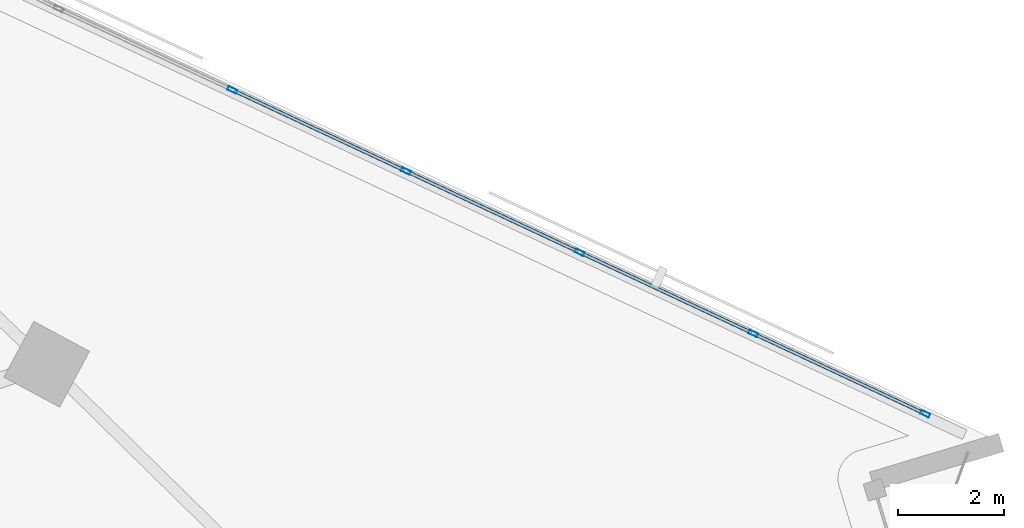
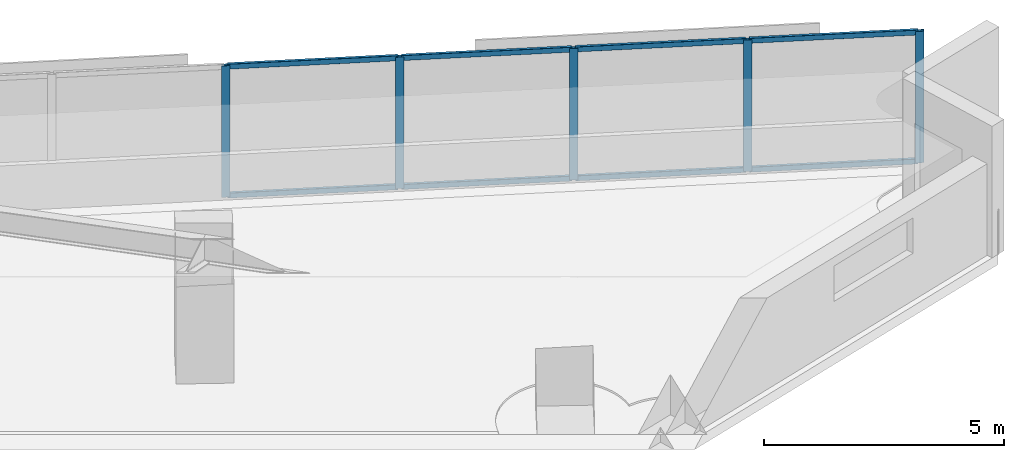
# One storey, part 5 of 14: 13 members, 1 element without a shape of its own.
"""IFC4 building model written with IfcOpenShell, lengths in metres."""

from ifc_helpers import new_model, si_unit, direction, frame, origin, origin_2d, place, context, subcontext, project, spatial, hollow_rectangle, extrude, material, material_profile, profile_set, type_object, element, aggregate, save


model = new_model("IFC4")

# Units and contexts
model_context = context("Model", 3, precision=1e-05, world=origin(), true_north=direction((0.0, 1.0)))
body_context = subcontext(model_context, "Body", "Model", "MODEL_VIEW")
ifc_project = project(units=[si_unit("LENGTHUNIT", "METRE"), si_unit("AREAUNIT", "SQUARE_METRE"), si_unit("VOLUMEUNIT", "CUBIC_METRE"), si_unit("PLANEANGLEUNIT", "RADIAN"), si_unit("MASSUNIT", "GRAM", prefix="KILO")], contexts=[model_context])

# Site, building, storey
site_placement = place(None, origin())
site = spatial("IfcSite", under=ifc_project, at=site_placement, CompositionType="ELEMENT")
building_placement = place(site_placement, origin())
building = spatial("IfcBuilding", under=site, at=building_placement, Name="Narakoshi Arena Tower", CompositionType="ELEMENT")
storey_placement = place(building_placement, frame((0.0, 0.0, 135.89990234375)))
storey = spatial("IfcBuildingStorey", under=building, at=storey_placement, Name="L36", CompositionType="ELEMENT", Elevation=135.89990234375)

# Curtain wall, members
ifc_material = material(Name="Anodised bronze aluminium 6063-T6", Category="aluminium")
curtain_wall_type = type_object("IfcCurtainWallType", Name="CW-HYP-MID", PredefinedType="NOTDEFINED", material=ifc_material)
curtain_wall_placement = place(storey_placement, origin())
curtain_wall = element("IfcCurtainWall", 1, at=curtain_wall_placement, inside=storey, type_object=curtain_wall_type, Name="L36 Folded Hypotenuse Curtain Wall 1-1", PredefinedType="NOTDEFINED")
ifc_material_profile_1 = material_profile(ifc_material, hollow_rectangle(XDim=0.074951171875, YDim=0.179931640625, WallThickness=0.00390625, OuterFilletRadius=0.0048828125, at=origin_2d()), Name="MUL180x75x4")
ifc_profile_set_1 = profile_set([ifc_material_profile_1], Name="Anodised bronze aluminium 6063-T6")
member_type_1 = type_object("IfcMemberType", Name="MEM-MUL-180", PredefinedType="MULLION", material=ifc_profile_set_1)
member_1_placement = place(storey_placement, frame((119.174072265625, 48.238525390625, 0.0), z_axis=(0.0, 0.0, 1.0), x_axis=(-0.423531721612, -0.905881273009, 0.0)))
member_1 = element("IfcMember", 2, at=member_1_placement, type_object=member_type_1, Name="CW-02 mullion 1", PredefinedType="MULLION", context=body_context, shape_type="SweptSolid", body=[
    extrude(hollow_rectangle(XDim=0.074951171875, YDim=0.179931640625, WallThickness=0.00390625, OuterFilletRadius=0.0048828125, at=origin_2d()), origin(), (0.0, 0.0, 1.0), 3.340087890625),
])
member_2_placement = place(storey_placement, frame((115.91650390625, 49.761474609375, 0.0), z_axis=(0.0, 0.0, 1.0), x_axis=(-0.423531721612, -0.905881273009, 0.0)))
member_2 = element("IfcMember", 3, at=member_2_placement, type_object=member_type_1, Name="CW-02 mullion 2", PredefinedType="MULLION", context=body_context, shape_type="SweptSolid", body=[
    extrude(hollow_rectangle(XDim=0.074951171875, YDim=0.179931640625, WallThickness=0.00390625, OuterFilletRadius=0.0048828125, at=origin_2d()), origin(), (0.0, 0.0, 1.0), 3.340087890625),
])
member_3_placement = place(storey_placement, frame((112.625, 51.300537109375, 0.0), z_axis=(0.0, 0.0, 1.0), x_axis=(-0.423531721612, -0.905881273009, 0.0)))
member_3 = element("IfcMember", 4, at=member_3_placement, type_object=member_type_1, Name="CW-02 mullion 3", PredefinedType="MULLION", context=body_context, shape_type="SweptSolid", body=[
    extrude(hollow_rectangle(XDim=0.074951171875, YDim=0.179931640625, WallThickness=0.00390625, OuterFilletRadius=0.0048828125, at=origin_2d()), origin(), (0.0, 0.0, 1.0), 3.340087890625),
])
member_4_placement = place(storey_placement, frame((109.33349609375, 52.83935546875, 0.0), z_axis=(0.0, 0.0, 1.0), x_axis=(-0.423531721612, -0.905881273009, 0.0)))
member_4 = element("IfcMember", 5, at=member_4_placement, type_object=member_type_1, Name="CW-02 mullion 4", PredefinedType="MULLION", context=body_context, shape_type="SweptSolid", body=[
    extrude(hollow_rectangle(XDim=0.074951171875, YDim=0.179931640625, WallThickness=0.00390625, OuterFilletRadius=0.0048828125, at=origin_2d()), origin(), (0.0, 0.0, 1.0), 3.340087890625),
])
member_5_placement = place(storey_placement, frame((106.0419921875, 54.378173828125, 0.0), z_axis=(0.0, 0.0, 1.0), x_axis=(-0.423531721612, -0.905881273009, 0.0)))
member_5 = element("IfcMember", 6, at=member_5_placement, type_object=member_type_1, Name="CW-02 mullion 5", PredefinedType="MULLION", context=body_context, shape_type="SweptSolid", body=[
    extrude(hollow_rectangle(XDim=0.074951171875, YDim=0.179931640625, WallThickness=0.00390625, OuterFilletRadius=0.0048828125, at=origin_2d()), origin(), (0.0, 0.0, 1.0), 3.340087890625),
])
ifc_material_profile_2 = material_profile(ifc_material, hollow_rectangle(XDim=0.06494140625, YDim=0.1298828125, WallThickness=0.00390625, OuterFilletRadius=0.0048828125, at=origin_2d()), Name="TRN130x65x4")
ifc_profile_set_2 = profile_set([ifc_material_profile_2], Name="Anodised bronze aluminium 6063-T6")
member_type_2 = type_object("IfcMemberType", Name="MEM-TRN-130", PredefinedType="USERDEFINED", material=ifc_profile_set_2)
member_6_placement = place(storey_placement, frame((119.14013671875, 48.25439453125, 0.03271484375), z_axis=(-0.905890644442, 0.423511676713, 0.0), x_axis=(-0.423511676713, -0.905890644442, 0.0)))
member_6 = element("IfcMember", 7, at=member_6_placement, type_object=member_type_2, Name="CW-02 transom 1.1", ObjectType="TRANSOM", PredefinedType="USERDEFINED", context=body_context, shape_type="SweptSolid", body=[
    extrude(hollow_rectangle(XDim=0.06494140625, YDim=0.1298828125, WallThickness=0.00390625, OuterFilletRadius=0.0048828125, at=origin_2d()), origin(), (0.0, 0.0, 1.0), 3.52099609375),
])
member_7_placement = place(storey_placement, frame((119.14013671875, 48.25439453125, 3.3076171875), z_axis=(-0.905890644442, 0.423511676713, 0.0), x_axis=(-0.423511676713, -0.905890644442, 0.0)))
member_7 = element("IfcMember", 8, at=member_7_placement, type_object=member_type_2, Name="CW-02 transom 1.2", ObjectType="TRANSOM", PredefinedType="USERDEFINED", context=body_context, shape_type="SweptSolid", body=[
    extrude(hollow_rectangle(XDim=0.06494140625, YDim=0.1298828125, WallThickness=0.00390625, OuterFilletRadius=0.0048828125, at=origin_2d()), origin(), (0.0, 0.0, 1.0), 3.52099609375),
])
member_8_placement = place(storey_placement, frame((115.882568359375, 49.777587890625, 0.03271484375), z_axis=(-0.905890215319, 0.423512594605, 0.0), x_axis=(-0.423512594605, -0.905890215319, 0.0)))
member_8 = element("IfcMember", 9, at=member_8_placement, type_object=member_type_2, Name="CW-02 transom 2.1", ObjectType="TRANSOM", PredefinedType="USERDEFINED", context=body_context, shape_type="SweptSolid", body=[
    extrude(hollow_rectangle(XDim=0.06494140625, YDim=0.1298828125, WallThickness=0.00390625, OuterFilletRadius=0.0048828125, at=origin_2d()), origin(), (0.0, 0.0, 1.0), 3.55859375),
])
member_9_placement = place(storey_placement, frame((115.882568359375, 49.777587890625, 3.3076171875), z_axis=(-0.905890215319, 0.423512594605, 0.0), x_axis=(-0.423512594605, -0.905890215319, 0.0)))
member_9 = element("IfcMember", 10, at=member_9_placement, type_object=member_type_2, Name="CW-02 transom 2.2", ObjectType="TRANSOM", PredefinedType="USERDEFINED", context=body_context, shape_type="SweptSolid", body=[
    extrude(hollow_rectangle(XDim=0.06494140625, YDim=0.1298828125, WallThickness=0.00390625, OuterFilletRadius=0.0048828125, at=origin_2d()), origin(), (0.0, 0.0, 1.0), 3.55859375),
])
member_10_placement = place(storey_placement, frame((112.591064453125, 51.31640625, 0.03271484375), z_axis=(-0.905890215319, 0.423512594605, 0.0), x_axis=(-0.423512594605, -0.905890215319, 0.0)))
member_10 = element("IfcMember", 11, at=member_10_placement, type_object=member_type_2, Name="CW-02 transom 3.1", ObjectType="TRANSOM", PredefinedType="USERDEFINED", context=body_context, shape_type="SweptSolid", body=[
    extrude(hollow_rectangle(XDim=0.06494140625, YDim=0.1298828125, WallThickness=0.00390625, OuterFilletRadius=0.0048828125, at=origin_2d()), origin(), (0.0, 0.0, 1.0), 3.55859375),
])
member_11_placement = place(storey_placement, frame((112.591064453125, 51.31640625, 3.3076171875), z_axis=(-0.905890215319, 0.423512594605, 0.0), x_axis=(-0.423512594605, -0.905890215319, 0.0)))
member_11 = element("IfcMember", 12, at=member_11_placement, type_object=member_type_2, Name="CW-02 transom 3.2", ObjectType="TRANSOM", PredefinedType="USERDEFINED", context=body_context, shape_type="SweptSolid", body=[
    extrude(hollow_rectangle(XDim=0.06494140625, YDim=0.1298828125, WallThickness=0.00390625, OuterFilletRadius=0.0048828125, at=origin_2d()), origin(), (0.0, 0.0, 1.0), 3.55859375),
])
member_12_placement = place(storey_placement, frame((109.299560546875, 52.855224609375, 0.03271484375), z_axis=(-0.905890215319, 0.423512594605, 0.0), x_axis=(-0.423512594605, -0.905890215319, 0.0)))
member_12 = element("IfcMember", 13, at=member_12_placement, type_object=member_type_2, Name="CW-02 transom 4.1", ObjectType="TRANSOM", PredefinedType="USERDEFINED", context=body_context, shape_type="SweptSolid", body=[
    extrude(hollow_rectangle(XDim=0.06494140625, YDim=0.1298828125, WallThickness=0.00390625, OuterFilletRadius=0.0048828125, at=origin_2d()), origin(), (0.0, 0.0, 1.0), 3.55859375),
])
member_13_placement = place(storey_placement, frame((109.299560546875, 52.855224609375, 3.3076171875), z_axis=(-0.905890215319, 0.423512594605, 0.0), x_axis=(-0.423512594605, -0.905890215319, 0.0)))
member_13 = element("IfcMember", 14, at=member_13_placement, type_object=member_type_2, Name="CW-02 transom 4.2", ObjectType="TRANSOM", PredefinedType="USERDEFINED", context=body_context, shape_type="SweptSolid", body=[
    extrude(hollow_rectangle(XDim=0.06494140625, YDim=0.1298828125, WallThickness=0.00390625, OuterFilletRadius=0.0048828125, at=origin_2d()), origin(), (0.0, 0.0, 1.0), 3.55859375),
])
aggregate(curtain_wall, [member_1, member_2, member_3, member_4, member_5, member_6, member_7, member_8, member_9, member_10, member_11, member_12, member_13])

save(model, "model.ifc")
